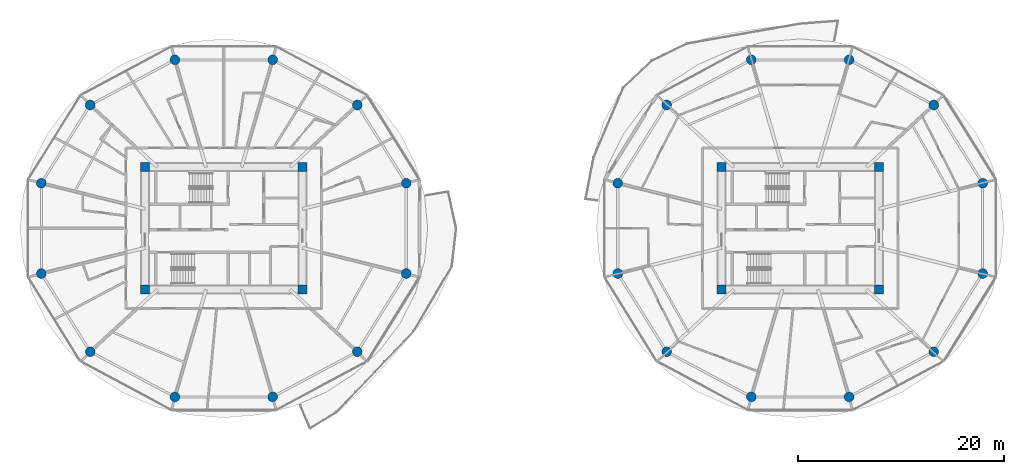
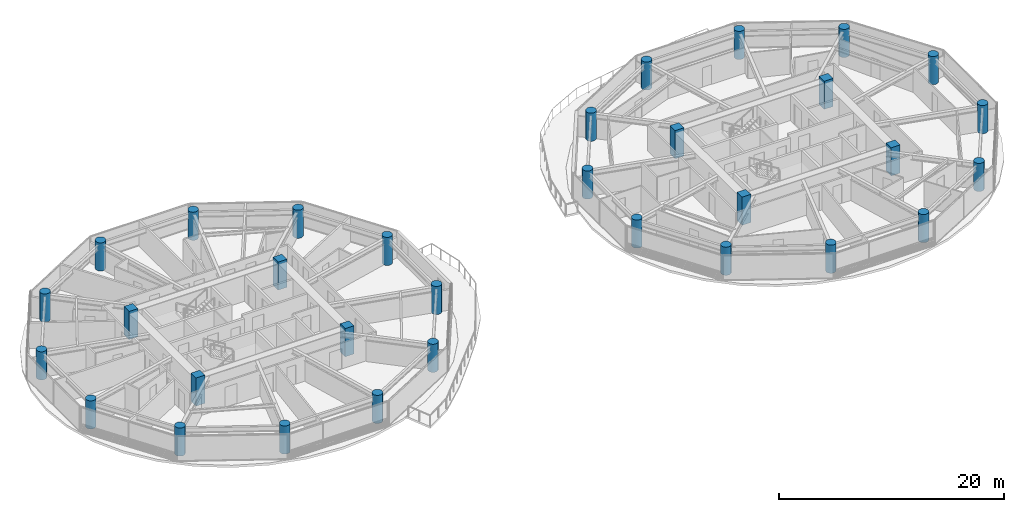
# One storey, part 1 of 27: 32 columns.
"""IFC4 building model written with IfcOpenShell, lengths in metres."""

from ifc_helpers import new_model, si_unit, direction, frame, origin, origin_2d, place, context, subcontext, project, spatial, rectangle, circle, extrude, source, transform, mapped, material, material_profile, profile_set, type_object, type_shapes, element, save


model = new_model("IFC4")

# Units and contexts
model_context = context("Model", 3, precision=1e-05, world=origin(), true_north=direction((0.0, 1.0)))
body_context = subcontext(model_context, "Body", "Model", "MODEL_VIEW")
ifc_project = project(units=[si_unit("LENGTHUNIT", "METRE"), si_unit("AREAUNIT", "SQUARE_METRE"), si_unit("VOLUMEUNIT", "CUBIC_METRE"), si_unit("PLANEANGLEUNIT", "RADIAN"), si_unit("MASSUNIT", "GRAM", prefix="KILO")], contexts=[model_context])

# Site, building, storey
site_placement = place(None, origin())
site = spatial("IfcSite", under=ifc_project, at=site_placement, CompositionType="ELEMENT")
building_placement = place(site_placement, origin())
building = spatial("IfcBuilding", under=site, at=building_placement, Name="Norrkilde Senior Care Towers", CompositionType="ELEMENT")
storey_placement = place(building_placement, frame((0.0, 0.0, 61.25)))
storey = spatial("IfcBuildingStorey", under=building, at=storey_placement, Name="L18", CompositionType="ELEMENT", Elevation=61.25)

# Columns
ifc_material = material(Name="Concrete C60/75", Category="concrete")
ifc_material_profile_1 = material_profile(ifc_material, rectangle(XDim=0.89990234375, YDim=0.89990234375, at=origin_2d()), Name="RC COL 900x900")
ifc_profile_set_1 = profile_set([ifc_material_profile_1], Name="Concrete C60/75")
column_type_1 = type_object("IfcColumnType", Name="Column Core Corner Z1-Z2 900", PredefinedType="COLUMN", material=ifc_profile_set_1)
shared_shape_1 = source(origin(), body_context, "Body", "SweptSolid", [
    extrude(rectangle(XDim=0.89990234375, YDim=0.89990234375, at=origin_2d()), origin(), (0.0, 0.0, 1.0), 3.050048828125),
])
type_shapes(column_type_1, [shared_shape_1])
for number, where, z_axis, x_axis, name in (
    (1, (-35.64990234375, -5.949951171875, 0.0), (0.0, 0.0, 1.0), (1.0, 0.0, 0.0), "L18 Core W Corner Column 1"),
    (2, (-20.35009765625, -5.949951171875, 0.0), (0.0, 0.0, 1.0), (1.0, 0.0, 0.0), "L18 Core W Corner Column 2"),
    (3, (-20.35009765625, 5.949951171875, 0.0), (0.0, 0.0, 1.0), (1.0, 0.0, 0.0), "L18 Core W Corner Column 3"),
    (4, (-35.64990234375, 5.949951171875, 0.0), (0.0, 0.0, 1.0), (1.0, 0.0, 0.0), "L18 Core W Corner Column 4"),
    (5, (20.35009765625, -5.949951171875, 0.0), (0.0, 0.0, 1.0), (1.0, 0.0, 0.0), "L18 Core E Corner Column 1"),
    (6, (35.64990234375, -5.949951171875, 0.0), (0.0, 0.0, 1.0), (1.0, 0.0, 0.0), "L18 Core E Corner Column 2"),
    (7, (35.64990234375, 5.949951171875, 0.0), (0.0, 0.0, 1.0), (1.0, 0.0, 0.0), "L18 Core E Corner Column 3"),
    (8, (20.35009765625, 5.949951171875, 0.0), (0.0, 0.0, 1.0), (1.0, 0.0, 0.0), "L18 Core E Corner Column 4"),
):
    element("IfcColumn", number, at=place(storey_placement, frame(where, z_axis=z_axis, x_axis=x_axis)), inside=storey, type_object=column_type_1, Name=name, PredefinedType="COLUMN", context=body_context, shape_type="MappedRepresentation", body=[
        mapped(shared_shape_1, transform((0.0, 0.0, 0.0), x_axis=(1.0, 0.0, 0.0), y_axis=(0.0, 1.0, 0.0), z_axis=(0.0, 0.0, 1.0), scale=1.0)),
    ])
ifc_material_profile_2 = material_profile(ifc_material, circle(Radius=0.47509765625, at=origin_2d()), Name="RC CIR 950")
ifc_profile_set_2 = profile_set([ifc_material_profile_2], Name="Concrete C60/75")
column_type_2 = type_object("IfcColumnType", Name="Column Perimeter Z1 950", PredefinedType="COLUMN", material=ifc_profile_set_2)
shared_shape_2 = source(origin(), body_context, "Body", "SweptSolid", [
    extrude(circle(Radius=0.47509765625, at=origin_2d()), origin(), (0.0, 0.0, 1.0), 3.050048828125),
])
type_shapes(column_type_2, [shared_shape_2])
for number, where, z_axis, x_axis, name in (
    (9, (-10.275146484375, 4.386962890625, 0.0), (0.0, 0.0, 1.0), (1.0, 0.0, 0.0), "L18 Drum W Perimeter Column 01"),
    (10, (-15.024658203125, 11.9853515625, 0.0), (0.0, 0.0, 1.0), (1.0, 0.0, 0.0), "L18 Drum W Perimeter Column 02"),
    (11, (-23.250732421875, 16.37255859375, 0.0), (0.0, 0.0, 1.0), (1.0, 0.0, 0.0), "L18 Drum W Perimeter Column 03"),
    (12, (-32.749267578125, 16.37255859375, 0.0), (0.0, 0.0, 1.0), (1.0, 0.0, 0.0), "L18 Drum W Perimeter Column 04"),
    (13, (-40.975341796875, 11.9853515625, 0.0), (0.0, 0.0, 1.0), (1.0, 0.0, 0.0), "L18 Drum W Perimeter Column 05"),
    (14, (-45.724853515625, 4.386962890625, 0.0), (0.0, 0.0, 1.0), (1.0, 0.0, 0.0), "L18 Drum W Perimeter Column 06"),
    (15, (-45.724853515625, -4.386962890625, 0.0), (0.0, 0.0, 1.0), (1.0, 0.0, 0.0), "L18 Drum W Perimeter Column 07"),
    (16, (-40.975341796875, -11.9853515625, 0.0), (0.0, 0.0, 1.0), (1.0, 0.0, 0.0), "L18 Drum W Perimeter Column 08"),
    (17, (-32.749267578125, -16.37255859375, 0.0), (0.0, 0.0, 1.0), (1.0, 0.0, 0.0), "L18 Drum W Perimeter Column 09"),
    (18, (-23.250732421875, -16.37255859375, 0.0), (0.0, 0.0, 1.0), (1.0, 0.0, 0.0), "L18 Drum W Perimeter Column 10"),
    (19, (-15.024658203125, -11.9853515625, 0.0), (0.0, 0.0, 1.0), (1.0, 0.0, 0.0), "L18 Drum W Perimeter Column 11"),
    (20, (-10.275146484375, -4.386962890625, 0.0), (0.0, 0.0, 1.0), (1.0, 0.0, 0.0), "L18 Drum W Perimeter Column 12"),
    (21, (45.724853515625, 4.386962890625, 0.0), (0.0, 0.0, 1.0), (1.0, 0.0, 0.0), "L18 Drum E Perimeter Column 01"),
    (22, (40.975341796875, 11.9853515625, 0.0), (0.0, 0.0, 1.0), (1.0, 0.0, 0.0), "L18 Drum E Perimeter Column 02"),
    (23, (32.749267578125, 16.37255859375, 0.0), (0.0, 0.0, 1.0), (1.0, 0.0, 0.0), "L18 Drum E Perimeter Column 03"),
    (24, (23.250732421875, 16.37255859375, 0.0), (0.0, 0.0, 1.0), (1.0, 0.0, 0.0), "L18 Drum E Perimeter Column 04"),
    (25, (15.024658203125, 11.9853515625, 0.0), (0.0, 0.0, 1.0), (1.0, 0.0, 0.0), "L18 Drum E Perimeter Column 05"),
    (26, (10.275146484375, 4.386962890625, 0.0), (0.0, 0.0, 1.0), (1.0, 0.0, 0.0), "L18 Drum E Perimeter Column 06"),
    (27, (10.275146484375, -4.386962890625, 0.0), (0.0, 0.0, 1.0), (1.0, 0.0, 0.0), "L18 Drum E Perimeter Column 07"),
    (28, (15.024658203125, -11.9853515625, 0.0), (0.0, 0.0, 1.0), (1.0, 0.0, 0.0), "L18 Drum E Perimeter Column 08"),
    (29, (23.250732421875, -16.37255859375, 0.0), (0.0, 0.0, 1.0), (1.0, 0.0, 0.0), "L18 Drum E Perimeter Column 09"),
    (30, (32.749267578125, -16.37255859375, 0.0), (0.0, 0.0, 1.0), (1.0, 0.0, 0.0), "L18 Drum E Perimeter Column 10"),
    (31, (40.975341796875, -11.9853515625, 0.0), (0.0, 0.0, 1.0), (1.0, 0.0, 0.0), "L18 Drum E Perimeter Column 11"),
    (32, (45.724853515625, -4.386962890625, 0.0), (0.0, 0.0, 1.0), (1.0, 0.0, 0.0), "L18 Drum E Perimeter Column 12"),
):
    element("IfcColumn", number, at=place(storey_placement, frame(where, z_axis=z_axis, x_axis=x_axis)), inside=storey, type_object=column_type_2, Name=name, PredefinedType="COLUMN", context=body_context, shape_type="MappedRepresentation", body=[
        mapped(shared_shape_2, transform((0.0, 0.0, 0.0), x_axis=(1.0, 0.0, 0.0), y_axis=(0.0, 1.0, 0.0), z_axis=(0.0, 0.0, 1.0), scale=1.0)),
    ])

save(model, "model.ifc")
